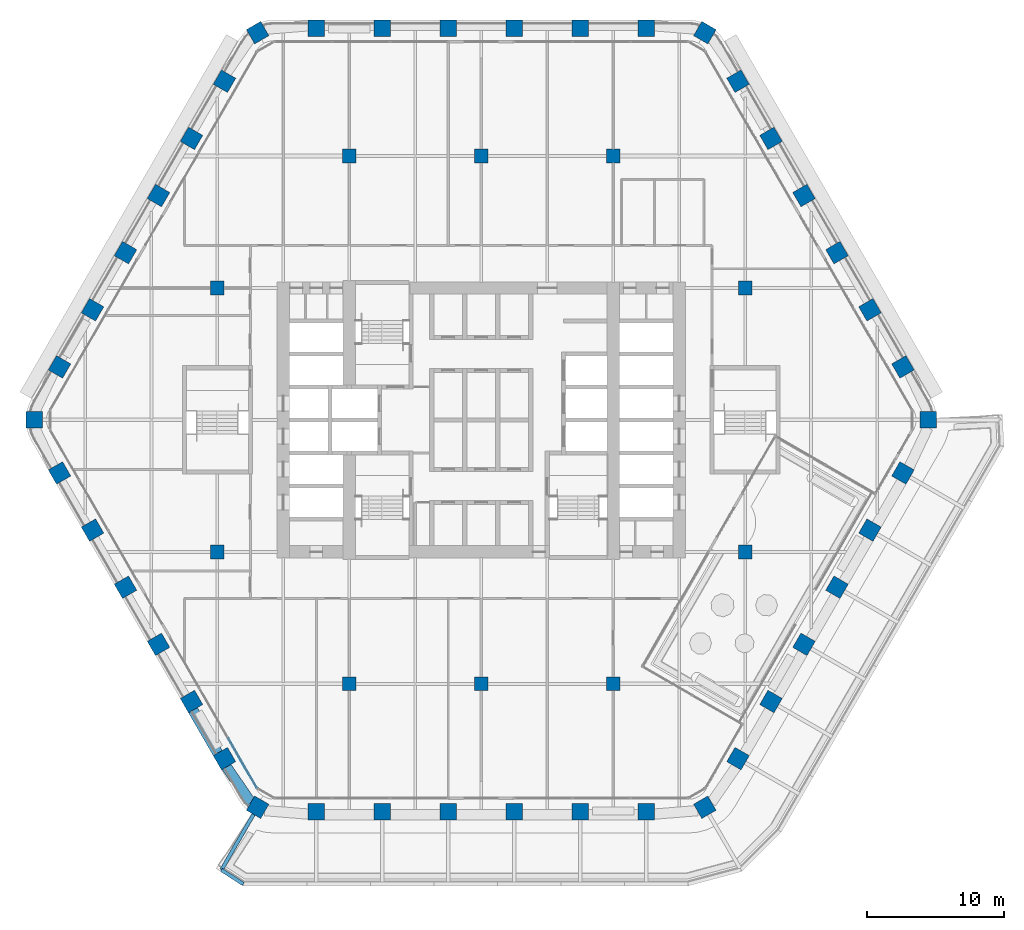
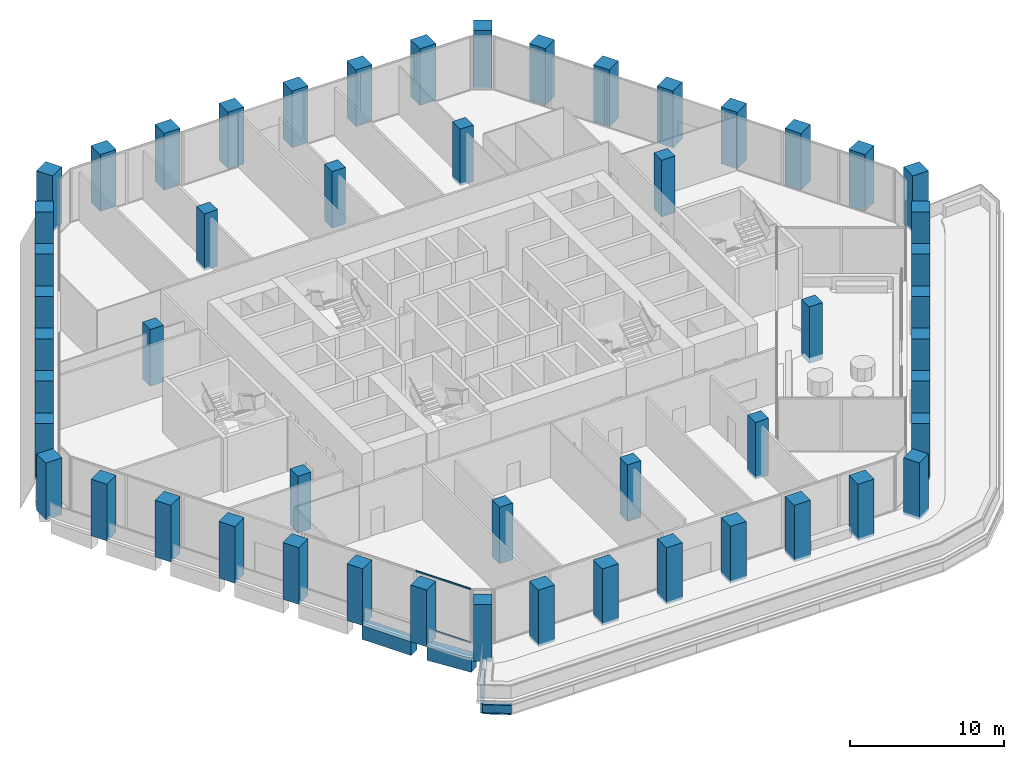
# One storey, part 1 of 25: 52 columns, 4 beams, 2 members, 1 element without a shape of its own.
"""IFC4 building model written with IfcOpenShell, lengths in metres."""

from ifc_helpers import new_model, si_unit, direction, frame, origin, origin_2d, place, context, subcontext, project, spatial, rectangle, i_section, extrude, material, material_profile, profile_set, type_object, element, aggregate, save


model = new_model("IFC4")

# Units and contexts
model_context = context("Model", 3, precision=1e-05, world=origin(), true_north=direction((0.0, 1.0)))
body_context = subcontext(model_context, "Body", "Model", "MODEL_VIEW")
ifc_project = project(units=[si_unit("LENGTHUNIT", "METRE"), si_unit("AREAUNIT", "SQUARE_METRE"), si_unit("VOLUMEUNIT", "CUBIC_METRE"), si_unit("PLANEANGLEUNIT", "RADIAN"), si_unit("MASSUNIT", "GRAM", prefix="KILO")], contexts=[model_context])

# Site, building, storey
site_placement = place(None, origin())
site = spatial("IfcSite", under=ifc_project, at=site_placement, CompositionType="ELEMENT")
building_placement = place(site_placement, origin())
building = spatial("IfcBuilding", under=site, at=building_placement, Name="Kolab Exchange Tower", CompositionType="ELEMENT")
storey_placement = place(building_placement, frame((0.0, 0.0, 91.39990234375)))
storey = spatial("IfcBuildingStorey", under=building, at=storey_placement, Name="L17", CompositionType="ELEMENT", Elevation=91.39990234375)

# Columns
ifc_material_1 = material(Name="Concrete C70/85", Category="concrete")
ifc_material_profile_1 = material_profile(ifc_material_1, rectangle(XDim=1.0, YDim=1.0, at=origin_2d()), Name="RC1000")
ifc_profile_set_1 = profile_set([ifc_material_profile_1], Name="Concrete C70/85")
column_type_1 = type_object("IfcColumnType", Name="INTERIOR COLUMN 1000 SQ C70/85", PredefinedType="COLUMN", material=ifc_profile_set_1)
for number, where, z_axis, x_axis, name in (
    (1, (-19.199951171875, -9.60009765625, -0.199951171875), (0.0, 0.0, 1.0), (1.0, 0.0, 0.0), "col/L17/I-I9"),
    (2, (-19.199951171875, 9.60009765625, -0.199951171875), (0.0, 0.0, 1.0), (1.0, 0.0, 0.0), "col/L17/I-I13"),
    (3, (-9.60009765625, -19.199951171875, -0.199951171875), (0.0, 0.0, 1.0), (1.0, 0.0, 0.0), "col/L17/I-K7"),
    (4, (-9.60009765625, 19.199951171875, -0.199951171875), (0.0, 0.0, 1.0), (1.0, 0.0, 0.0), "col/L17/I-K15"),
    (5, (0.0, -19.199951171875, -0.199951171875), (0.0, 0.0, 1.0), (1.0, 0.0, 0.0), "col/L17/I-M7"),
    (6, (0.0, 19.199951171875, -0.199951171875), (0.0, 0.0, 1.0), (1.0, 0.0, 0.0), "col/L17/I-M15"),
    (7, (9.60009765625, -19.199951171875, -0.199951171875), (0.0, 0.0, 1.0), (1.0, 0.0, 0.0), "col/L17/I-O7"),
    (8, (9.60009765625, 19.199951171875, -0.199951171875), (0.0, 0.0, 1.0), (1.0, 0.0, 0.0), "col/L17/I-O15"),
    (9, (19.199951171875, -9.60009765625, -0.199951171875), (0.0, 0.0, 1.0), (1.0, 0.0, 0.0), "col/L17/I-Q9"),
    (10, (19.199951171875, 9.60009765625, -0.199951171875), (0.0, 0.0, 1.0), (1.0, 0.0, 0.0), "col/L17/I-Q13"),
):
    element("IfcColumn", number, at=place(storey_placement, frame(where, z_axis=z_axis, x_axis=x_axis)), inside=storey, type_object=column_type_1, Name=name, PredefinedType="COLUMN", context=body_context, shape_type="SweptSolid", body=[
        extrude(rectangle(XDim=1.0, YDim=1.0, at=origin_2d()), origin(), (0.0, 0.0, 1.0), 4.5),
    ])
ifc_material_profile_2 = material_profile(ifc_material_1, rectangle(XDim=1.199951171875, YDim=1.199951171875, at=origin_2d()), Name="RC1200")
ifc_profile_set_2 = profile_set([ifc_material_profile_2], Name="Concrete C70/85")
column_type_2 = type_object("IfcColumnType", Name="PERIMETER COLUMN 1200 SQ C70/85", PredefinedType="COLUMN", material=ifc_profile_set_2)
for number, where, z_axis, x_axis, name in (
    (11, (-16.26806640625, 28.177001953125, -0.199951171875), (0.0, 0.0, 1.0), (0.866025403784, 0.5, 0.0), "col/L17/F1-01"),
    (12, (-12.0, 28.49853515625, -0.199951171875), (0.0, 0.0, 1.0), (1.0, 0.0, 0.0), "col/L17/F1-02"),
    (13, (-7.199951171875, 28.49853515625, -0.199951171875), (0.0, 0.0, 1.0), (1.0, 0.0, 0.0), "col/L17/F1-03"),
    (14, (-2.39990234375, 28.49853515625, -0.199951171875), (0.0, 0.0, 1.0), (1.0, 0.0, 0.0), "col/L17/F1-04"),
    (15, (2.39990234375, 28.49853515625, -0.199951171875), (0.0, 0.0, 1.0), (1.0, 0.0, 0.0), "col/L17/F1-05"),
    (16, (7.199951171875, 28.49853515625, -0.199951171875), (0.0, 0.0, 1.0), (1.0, 0.0, 0.0), "col/L17/F1-06"),
    (17, (12.0, 28.49853515625, -0.199951171875), (0.0, 0.0, 1.0), (1.0, 0.0, 0.0), "col/L17/F1-07"),
    (18, (16.26806640625, 28.177001953125, -0.199951171875), (0.0, 0.0, 1.0), (0.5, 0.866025403784, 0.0), "col/L17/F2-01"),
    (19, (18.680419921875, 24.6416015625, -0.199951171875), (0.0, 0.0, 1.0), (0.866025403784, 0.5, 0.0), "col/L17/F2-02"),
    (20, (21.080322265625, 20.484619140625, -0.199951171875), (0.0, 0.0, 1.0), (0.866025403784, 0.5, 0.0), "col/L17/F2-03"),
    (21, (23.48046875, 16.32763671875, -0.199951171875), (0.0, 0.0, 1.0), (0.866025403784, 0.5, 0.0), "col/L17/F2-04"),
    (22, (25.88037109375, 12.170654296875, -0.199951171875), (0.0, 0.0, 1.0), (0.866025403784, 0.5, 0.0), "col/L17/F2-05"),
    (23, (28.2802734375, 8.013916015625, -0.199951171875), (0.0, 0.0, 1.0), (0.866025403784, 0.5, 0.0), "col/L17/F2-06"),
    (24, (30.680419921875, 3.85693359375, -0.199951171875), (0.0, 0.0, 1.0), (0.866025403784, 0.5, 0.0), "col/L17/F2-07"),
    (25, (32.535888671875, 0.0, -0.199951171875), (0.0, 0.0, 1.0), (1.0, 0.0, 0.0), "col/L17/F3-01"),
    (26, (30.680419921875, -3.85693359375, -0.199951171875), (0.0, 0.0, 1.0), (0.5, 0.866025403784, 0.0), "col/L17/F3-02"),
    (27, (28.2802734375, -8.013916015625, -0.199951171875), (0.0, 0.0, 1.0), (0.5, 0.866025403784, 0.0), "col/L17/F3-03"),
    (28, (25.88037109375, -12.170654296875, -0.199951171875), (0.0, 0.0, 1.0), (0.5, 0.866025403784, 0.0), "col/L17/F3-04"),
    (29, (23.48046875, -16.32763671875, -0.199951171875), (0.0, 0.0, 1.0), (0.5, 0.866025403784, 0.0), "col/L17/F3-05"),
    (30, (21.080322265625, -20.484619140625, -0.199951171875), (0.0, 0.0, 1.0), (0.5, 0.866025403784, 0.0), "col/L17/F3-06"),
    (31, (18.680419921875, -24.6416015625, -0.199951171875), (0.0, 0.0, 1.0), (0.5, 0.866025403784, 0.0), "col/L17/F3-07"),
    (32, (16.26806640625, -28.177001953125, -0.199951171875), (0.0, 0.0, 1.0), (0.866025403784, 0.5, 0.0), "col/L17/F4-01"),
    (33, (12.0, -28.49853515625, -0.199951171875), (0.0, 0.0, 1.0), (1.0, 0.0, 0.0), "col/L17/F4-02"),
    (34, (7.199951171875, -28.49853515625, -0.199951171875), (0.0, 0.0, 1.0), (1.0, 0.0, 0.0), "col/L17/F4-03"),
    (35, (2.39990234375, -28.49853515625, -0.199951171875), (0.0, 0.0, 1.0), (1.0, 0.0, 0.0), "col/L17/F4-04"),
    (36, (-2.39990234375, -28.49853515625, -0.199951171875), (0.0, 0.0, 1.0), (1.0, 0.0, 0.0), "col/L17/F4-05"),
    (37, (-7.199951171875, -28.49853515625, -0.199951171875), (0.0, 0.0, 1.0), (1.0, 0.0, 0.0), "col/L17/F4-06"),
    (38, (-12.0, -28.49853515625, -0.199951171875), (0.0, 0.0, 1.0), (1.0, 0.0, 0.0), "col/L17/F4-07"),
    (39, (-16.26806640625, -28.177001953125, -0.199951171875), (0.0, 0.0, 1.0), (0.5, 0.866025403784, 0.0), "col/L17/F5-01"),
    (40, (-18.680419921875, -24.6416015625, -0.199951171875), (0.0, 0.0, 1.0), (0.866025403784, 0.5, 0.0), "col/L17/F5-02"),
    (41, (-21.080322265625, -20.484619140625, -0.199951171875), (0.0, 0.0, 1.0), (0.866025403784, 0.5, 0.0), "col/L17/F5-03"),
    (42, (-23.48046875, -16.32763671875, -0.199951171875), (0.0, 0.0, 1.0), (0.866025403784, 0.5, 0.0), "col/L17/F5-04"),
    (43, (-25.88037109375, -12.170654296875, -0.199951171875), (0.0, 0.0, 1.0), (0.866025403784, 0.5, 0.0), "col/L17/F5-05"),
    (44, (-28.2802734375, -8.013916015625, -0.199951171875), (0.0, 0.0, 1.0), (0.866025403784, 0.5, 0.0), "col/L17/F5-06"),
    (45, (-30.680419921875, -3.85693359375, -0.199951171875), (0.0, 0.0, 1.0), (0.866025403784, 0.5, 0.0), "col/L17/F5-07"),
    (46, (-32.535888671875, 0.0, -0.199951171875), (0.0, 0.0, 1.0), (1.0, 0.0, 0.0), "col/L17/F6-01"),
    (47, (-30.680419921875, 3.85693359375, -0.199951171875), (0.0, 0.0, 1.0), (0.5, 0.866025403784, 0.0), "col/L17/F6-02"),
    (48, (-28.2802734375, 8.013916015625, -0.199951171875), (0.0, 0.0, 1.0), (0.5, 0.866025403784, 0.0), "col/L17/F6-03"),
    (49, (-25.88037109375, 12.170654296875, -0.199951171875), (0.0, 0.0, 1.0), (0.5, 0.866025403784, 0.0), "col/L17/F6-04"),
    (50, (-23.48046875, 16.32763671875, -0.199951171875), (0.0, 0.0, 1.0), (0.5, 0.866025403784, 0.0), "col/L17/F6-05"),
    (51, (-21.080322265625, 20.484619140625, -0.199951171875), (0.0, 0.0, 1.0), (0.5, 0.866025403784, 0.0), "col/L17/F6-06"),
    (52, (-18.680419921875, 24.6416015625, -0.199951171875), (0.0, 0.0, 1.0), (0.5, 0.866025403784, 0.0), "col/L17/F6-07"),
):
    element("IfcColumn", number, at=place(storey_placement, frame(where, z_axis=z_axis, x_axis=x_axis)), inside=storey, type_object=column_type_2, Name=name, PredefinedType="COLUMN", context=body_context, shape_type="SweptSolid", body=[
        extrude(rectangle(XDim=1.199951171875, YDim=1.199951171875, at=origin_2d()), origin(), (0.0, 0.0, 1.0), 4.5),
    ])

# Beams
ifc_material_2 = material(Name="Steel S355", Category="steel")
ifc_material_profile_3 = material_profile(ifc_material_2, i_section(OverallWidth=0.26708984375, OverallDepth=0.761962890625, WebThickness=0.014404296875, FlangeThickness=0.021484375, at=origin_2d()), Name="W760X173")
ifc_profile_set_3 = profile_set([ifc_material_profile_3], Name="Steel S355")
beam_type_1 = type_object("IfcBeamType", Name="FLOOR GIRDER W760X173", PredefinedType="BEAM", material=ifc_profile_set_3)
beam_1_placement = place(storey_placement, frame((-16.56787109375, -28.696533203125, -0.640869140625), z_axis=(-0.500004747635, -0.866022662719, 0.0), x_axis=(0.866022662719, -0.500004747635, 0.0)))
element("IfcBeam", 53, at=beam_1_placement, inside=storey, type_object=beam_type_1, Name="beam/L17/ledge/rib-14", PredefinedType="BEAM", context=body_context, shape_type="SweptSolid", body=[
    extrude(i_section(OverallWidth=0.26708984375, OverallDepth=0.761962890625, WebThickness=0.014404296875, FlangeThickness=0.021484375, at=origin_2d()), origin(), (0.0, 0.0, 1.0), 4.66650390625),
])
beam_2_placement = place(storey_placement, frame((-17.311767578125, -33.764892578125, -0.640869140625), z_axis=(-0.839981802732, 0.542614569542, 0.0), x_axis=(-0.542614569542, -0.839981802732, 0.0)))
element("IfcBeam", 54, at=beam_2_placement, inside=storey, type_object=beam_type_1, Name="beam/L17/ledge/edge-17", PredefinedType="BEAM", context=body_context, shape_type="SweptSolid", body=[
    extrude(i_section(OverallWidth=0.26708984375, OverallDepth=0.761962890625, WebThickness=0.014404296875, FlangeThickness=0.021484375, at=origin_2d()), origin(), (0.0, 0.0, 1.0), 1.892333984375),
])
ifc_material_profile_4 = material_profile(ifc_material_1, rectangle(XDim=0.75, YDim=1.10009765625, at=origin_2d()), Name="RC750X1100")
ifc_profile_set_4 = profile_set([ifc_material_profile_4], Name="Concrete C70/85")
beam_type_2 = type_object("IfcBeamType", Name="SPANDREL BEAM 750X1100 C70/85", PredefinedType="BEAM", material=ifc_profile_set_4)
beam_3_placement = place(storey_placement, frame((-16.73486328125, -27.85791015625, -0.75), z_axis=(-0.567661826262, 0.823261836237, 0.0), x_axis=(-0.823261836237, -0.567661826262, 0.0)))
element("IfcBeam", 55, at=beam_3_placement, inside=storey, type_object=beam_type_2, Name="beam/L17/sp/F5-01", PredefinedType="BEAM", context=body_context, shape_type="SweptSolid", body=[
    extrude(rectangle(XDim=0.75, YDim=1.10009765625, at=origin_2d()), origin(), (0.0, 0.0, 1.0), 3.20849609375),
])
beam_4_placement = place(storey_placement, frame((-19.1552734375, -24.26904296875, -0.75), z_axis=(-0.500013413428, 0.866017659399, 0.0), x_axis=(-0.866017659399, -0.500013413428, 0.0)))
element("IfcBeam", 56, at=beam_4_placement, inside=storey, type_object=beam_type_2, Name="beam/L17/sp/F5-02", PredefinedType="BEAM", context=body_context, shape_type="SweptSolid", body=[
    extrude(rectangle(XDim=0.75, YDim=1.10009765625, at=origin_2d()), origin(), (0.0, 0.0, 1.0), 3.68017578125),
])

# Curtain wall, members
ifc_material_3 = material(Name="Aluminium EN AW-6063 T6", Category="aluminium")
curtain_wall_type = type_object("IfcCurtainWallType", Name="UNITISED LOWER MID ZONE CURTAIN WALL", PredefinedType="NOTDEFINED", material=ifc_material_3)
curtain_wall_placement = place(storey_placement, origin())
curtain_wall = element("IfcCurtainWall", 57, at=curtain_wall_placement, inside=storey, type_object=curtain_wall_type, Name="cw/L17/F5-1", PredefinedType="NOTDEFINED")
ifc_material_profile_5 = material_profile(ifc_material_3, rectangle(XDim=0.06005859375, YDim=0.1201171875, at=origin_2d()), Name="RECT 60X120")
ifc_profile_set_5 = profile_set([ifc_material_profile_5], Name="Aluminium EN AW-6063 T6")
member_type = type_object("IfcMemberType", Name="UNITISED LOWER MID ZONE TRANSOM 60 X 120", PredefinedType="USERDEFINED", material=ifc_profile_set_5)
member_1_placement = place(storey_placement, frame((-16.32763671875, -26.756591796875, 0.030029296875), z_axis=(-0.500001996123, 0.866024251319, 0.0), x_axis=(-0.866024251319, -0.500001996123, 0.0)))
member_1 = element("IfcMember", 58, at=member_1_placement, type_object=member_type, Name="CW2 transom 1.1", ObjectType="TRANSOM", PredefinedType="USERDEFINED", context=body_context, shape_type="SweptSolid", body=[
    extrude(rectangle(XDim=0.06005859375, YDim=0.1201171875, at=origin_2d()), origin(), (0.0, 0.0, 1.0), 4.1328125),
])
member_2_placement = place(storey_placement, frame((-16.32763671875, -26.756591796875, 4.27001953125), z_axis=(-0.500001996123, 0.866024251319, 0.0), x_axis=(-0.866024251319, -0.500001996123, 0.0)))
member_2 = element("IfcMember", 59, at=member_2_placement, type_object=member_type, Name="CW2 transom 1.2", ObjectType="TRANSOM", PredefinedType="USERDEFINED", context=body_context, shape_type="SweptSolid", body=[
    extrude(rectangle(XDim=0.06005859375, YDim=0.1201171875, at=origin_2d()), origin(), (0.0, 0.0, 1.0), 4.1328125),
])
aggregate(curtain_wall, [member_1, member_2])

save(model, "model.ifc")
